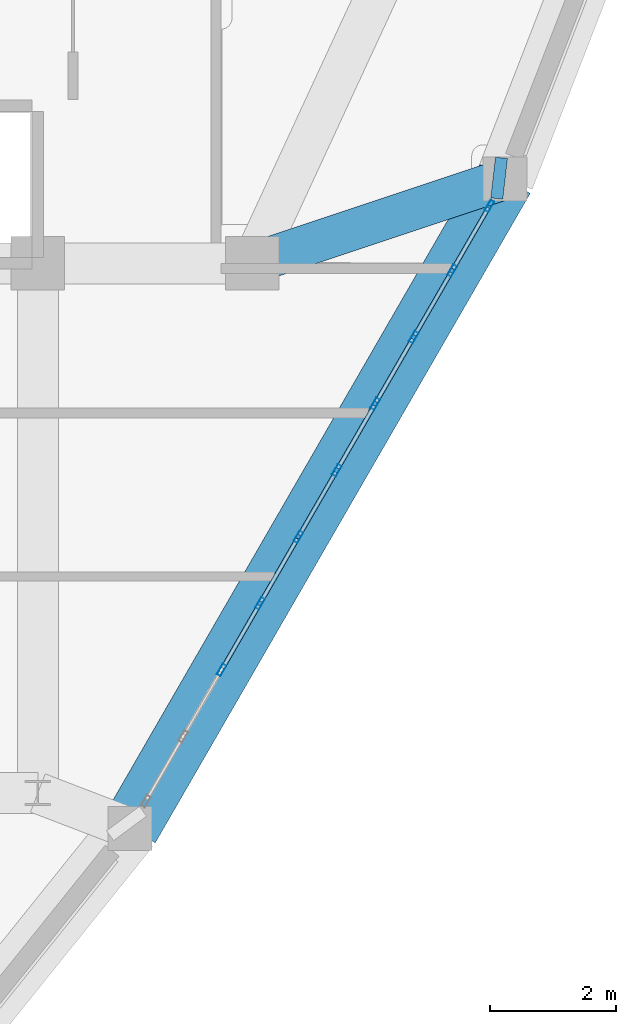
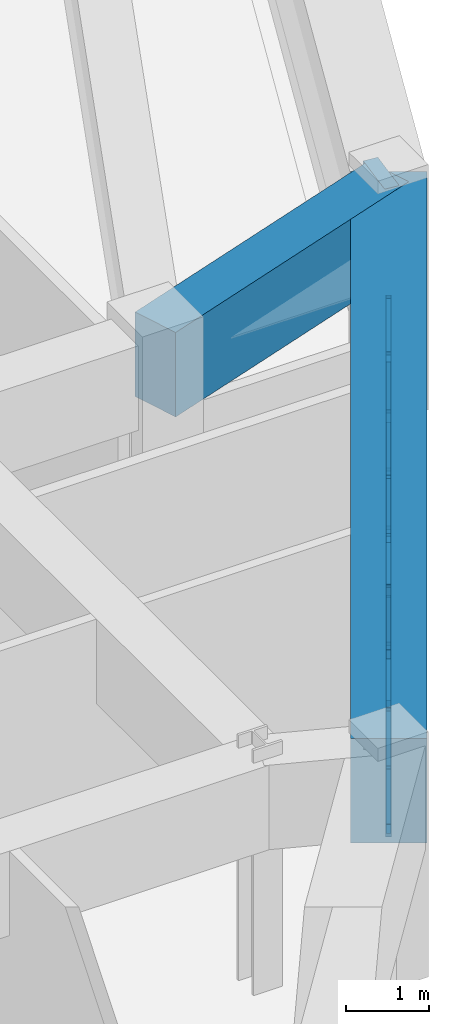
# One storey, part 7 of 16: 24 members, 3 beams, 1 element without a shape of its own.
"""IFC4 building model written with IfcOpenShell, lengths in metres."""

import ifcopenshell
import ifcopenshell.guid

model = None  # the IFC model being written
_history = None  # IfcOwnerHistory: only IFC2X3 demands one
_inside = {}  # id of a spatial element -> (the spatial element, [elements in it])
_under = {}  # id of a project, library or spatial element -> (it, [spatial elements below it])
_declared = {}  # id of a project -> (the project, [libraries it declares])
_typed = {}  # id of a type object -> (the type object, [elements of that type])
_made_of = {}  # id of a material, layer set ... -> (it, [elements and type objects made of it])


def new_model(schema):
    """Start an empty IFC model of exactly this schema.

    Asked for "IFC4X3", IfcOpenShell would pick the latest addendum, in which some entities
    have other attributes; the version numbers below select the first issue.
    IFC2X3 requires an IfcOwnerHistory on every rooted entity: one is made here for all.
    """
    global model, _history
    if schema == "IFC4X3":
        model = ifcopenshell.file(schema_version=(4, 3, 0, 0))
    else:
        model = ifcopenshell.file(schema=schema)
    _inside.clear()
    _under.clear()
    _declared.clear()
    _typed.clear()
    _made_of.clear()
    _history = None
    if model.schema == "IFC2X3":
        org = make("IfcOrganization", Name="unknown")
        user = make(
            "IfcPersonAndOrganization",
            ThePerson=make("IfcPerson", FamilyName="unknown"),
            TheOrganization=org,
        )
        app = make(
            "IfcApplication",
            ApplicationDeveloper=org,
            Version="unknown",
            ApplicationFullName="unknown",
            ApplicationIdentifier="unknown",
        )
        _history = make(
            "IfcOwnerHistory",
            OwningUser=user,
            OwningApplication=app,
            ChangeAction="ADDED",
            CreationDate=0,
        )
    return model


def make(cls, **values):
    """One entity of the class cls with the attributes given. An attribute that is None is left unset."""
    return model.create_entity(
        cls, **{name: value for name, value in values.items() if value is not None}
    )


def rooted(cls, **values):
    """An entity with a GlobalId (a new one), such as an element, a storey or a relation."""
    return make(cls, GlobalId=ifcopenshell.guid.new(), OwnerHistory=_history, **values)


def si_unit(unit_type, name, prefix=None):
    """IfcSIUnit, for example si_unit("LENGTHUNIT", "METRE", prefix="MILLI")."""
    return make("IfcSIUnit", UnitType=unit_type, Prefix=prefix, Name=name)


def derived_unit(unit_type, elements):
    """IfcDerivedUnit: a product of units, each with its exponent."""
    return make(
        "IfcDerivedUnit",
        Elements=[
            make("IfcDerivedUnitElement", Unit=unit, Exponent=power)
            for unit, power in elements
        ],
        UnitType=unit_type,
    )


def assignment(units):
    """IfcUnitAssignment: the units of a project."""
    return None if units is None else make("IfcUnitAssignment", Units=units)


def point(xyz):
    """IfcCartesianPoint."""
    return None if xyz is None else make("IfcCartesianPoint", Coordinates=xyz)


def direction(xyz):
    """IfcDirection."""
    return None if xyz is None else make("IfcDirection", DirectionRatios=xyz)


def frame(location, z_axis=None, x_axis=None):
    """IfcAxis2Placement3D, a coordinate frame: its origin and axes. An axis left out is left unset."""
    return make(
        "IfcAxis2Placement3D",
        Location=point(location),
        Axis=direction(z_axis),
        RefDirection=direction(x_axis),
    )


def frame_2d(location, x_axis=None):
    """IfcAxis2Placement2D, a coordinate frame in the plane: its origin and x axis."""
    return make(
        "IfcAxis2Placement2D", Location=point(location), RefDirection=direction(x_axis)
    )


def origin():
    """The frame at (0, 0, 0) with its axes left unset."""
    return frame((0.0, 0.0, 0.0))


def origin_2d():
    """The frame at (0, 0) in the plane with its x axis left unset."""
    return frame_2d((0.0, 0.0))


def place(relative_to, where):
    """IfcLocalPlacement: puts the frame where relative to a parent placement (None: the world)."""
    return make(
        "IfcLocalPlacement", PlacementRelTo=relative_to, RelativePlacement=where
    )


def context(
    kind, dimensions, precision=None, world=None, true_north=None, identifier=None
):
    """IfcGeometricRepresentationContext, for example the 3D "Model" context."""
    return make(
        "IfcGeometricRepresentationContext",
        ContextIdentifier=identifier,
        ContextType=kind,
        CoordinateSpaceDimension=dimensions,
        Precision=precision,
        WorldCoordinateSystem=world,
        TrueNorth=true_north,
    )


def subcontext(parent, identifier, kind, view, scale=None):
    """IfcGeometricRepresentationSubContext, for example "Body" below "Model"."""
    return make(
        "IfcGeometricRepresentationSubContext",
        ContextIdentifier=identifier,
        ContextType=kind,
        ParentContext=parent,
        TargetScale=scale,
        TargetView=view,
    )


def project(units=None, contexts=None):
    """IfcProject with its units and contexts."""
    return rooted(
        "IfcProject",
        Name="project",
        RepresentationContexts=contexts,
        UnitsInContext=assignment(units),
    )


def spatial(cls, under=None, at=None, **own):
    """A site, building, storey or space (cls), placed at a placement, below another one or the project."""
    s = rooted(cls, ObjectPlacement=at, **own)
    if under is not None:
        _under.setdefault(under.id(), (under, []))[1].append(s)
    return s


def profile(cls, at=None, kind="AREA", **sizes):
    """A parametric profile (cls). Its sizes go by their IFC names, for example OverallWidth=200.0."""
    return make(cls, ProfileType=kind, Position=at, **sizes)


def rectangle(**sizes):
    """IfcRectangleProfileDef."""
    return profile("IfcRectangleProfileDef", **sizes)


def hollow_rectangle(**sizes):
    """IfcRectangleHollowProfileDef."""
    return profile("IfcRectangleHollowProfileDef", **sizes)


def extrude(swept, where, along, depth):
    """IfcExtrudedAreaSolid: the profile swept, set in the frame where, extruded along a direction by depth."""
    return make(
        "IfcExtrudedAreaSolid",
        SweptArea=swept,
        Position=where,
        ExtrudedDirection=direction(along),
        Depth=depth,
    )


def shape(context_of_items, identifier, shape_type, items):
    """IfcShapeRepresentation: the items that make up one representation, for example the "Body"."""
    return make(
        "IfcShapeRepresentation",
        ContextOfItems=context_of_items,
        RepresentationIdentifier=identifier,
        RepresentationType=shape_type,
        Items=items,
    )


def source(mapping_origin, context_of_items, identifier, shape_type, items):
    """IfcRepresentationMap: a shape defined once, which mapped items show again and again."""
    return make(
        "IfcRepresentationMap",
        MappingOrigin=mapping_origin,
        MappedRepresentation=shape(context_of_items, identifier, shape_type, items),
    )


def transform(
    local_origin,
    x_axis=None,
    y_axis=None,
    z_axis=None,
    scale=None,
    scale2=None,
    scale3=None,
    uniform=True,
):
    """IfcCartesianTransformationOperator3D, or its non-uniform kind. x_axis, y_axis, z_axis: its Axis1, 2, 3."""
    if uniform:
        return make(
            "IfcCartesianTransformationOperator3D",
            Axis1=direction(x_axis),
            Axis2=direction(y_axis),
            LocalOrigin=point(local_origin),
            Scale=scale,
            Axis3=direction(z_axis),
        )
    return make(
        "IfcCartesianTransformationOperator3DnonUniform",
        Axis1=direction(x_axis),
        Axis2=direction(y_axis),
        LocalOrigin=point(local_origin),
        Scale=scale,
        Axis3=direction(z_axis),
        Scale2=scale2,
        Scale3=scale3,
    )


def mapped(mapping_source, mapping_target):
    """IfcMappedItem: shows the shape of a source again, moved by a transform."""
    return make(
        "IfcMappedItem", MappingSource=mapping_source, MappingTarget=mapping_target
    )


def material(Name=None, Category=None):
    """IfcMaterial."""
    return make("IfcMaterial", Name=Name, Category=Category)


def layer(
    of_material, thickness, ventilated=None, Name=None, Category=None, Priority=None
):
    """IfcMaterialLayer: one layer of a wall or slab, of a material (None: an air gap)."""
    return make(
        "IfcMaterialLayer",
        Material=of_material,
        LayerThickness=thickness,
        IsVentilated=ventilated,
        Name=Name,
        Category=Category,
        Priority=Priority,
    )


def layer_set(layers, Name=None):
    """IfcMaterialLayerSet."""
    return make("IfcMaterialLayerSet", MaterialLayers=layers, LayerSetName=Name)


def material_profile(
    of_material, cross_section, Name=None, Category=None, Priority=None
):
    """IfcMaterialProfile: a cross section and its material."""
    return make(
        "IfcMaterialProfile",
        Name=Name,
        Material=of_material,
        Profile=cross_section,
        Priority=Priority,
        Category=Category,
    )


def profile_set(profiles, Name=None, composite=None):
    """IfcMaterialProfileSet."""
    return make(
        "IfcMaterialProfileSet",
        Name=Name,
        MaterialProfiles=profiles,
        CompositeProfile=composite,
    )


def made_of(thing, what):
    """Note that an element or type object is made of a material, layer set ...; save() writes the relation."""
    if what is not None:
        _made_of.setdefault(what.id(), (what, []))[1].append(thing)
    return thing


def type_object(cls, material=None, **own):
    """A type object (cls), such as IfcWallType, which elements share."""
    return made_of(rooted(cls, **own), material)


def element(
    cls,
    number,
    at=None,
    inside=None,
    cuts=None,
    type_object=None,
    material=None,
    context=None,
    identifier="Body",
    shape_type=None,
    held_by="IfcProductDefinitionShape",
    body=None,
    shapes=None,
    **own,
):
    """One element of the class cls, such as IfcWall. Its Tag is "e" and its number.

    at: its placement. inside: the storey or other place that contains it. cuts: it is an
    opening in that element (IfcRelVoidsElement). A single representation is given by context,
    identifier, shape_type and body (its items); several are given by shapes. held_by: the class
    of the entity that holds the representations. save() writes the other relations.
    """
    e = rooted(cls, Tag="e%d" % number, ObjectPlacement=at, **own)
    if body is not None:
        shapes = [shape(context, identifier, shape_type, body)]
    if shapes is not None:
        e.Representation = make(held_by, Representations=shapes)
    if inside is not None:
        _inside.setdefault(inside.id(), (inside, []))[1].append(e)
    if cuts is not None:
        rooted(
            "IfcRelVoidsElement", RelatingBuildingElement=cuts, RelatedOpeningElement=e
        )
    if type_object is not None:
        _typed.setdefault(type_object.id(), (type_object, []))[1].append(e)
    return made_of(e, material)


def aggregate(whole, parts):
    """IfcRelAggregates: a whole, such as a stair, and the parts it consists of."""
    return rooted("IfcRelAggregates", RelatingObject=whole, RelatedObjects=parts)


def save(model, path):
    """Write the relations noted so far, then the file.

    IfcRelAggregates (storeys below a building ...), IfcRelContainedInSpatialStructure (elements
    in a storey), IfcRelDefinesByType, IfcRelAssociatesMaterial and IfcRelDeclares: one each for
    every whole, place, type object, material and project.
    """
    for whole, parts in _under.values():
        aggregate(whole, parts)
    for where, things in _inside.values():
        rooted(
            "IfcRelContainedInSpatialStructure",
            RelatedElements=things,
            RelatingStructure=where,
        )
    for kind, things in _typed.values():
        rooted("IfcRelDefinesByType", RelatedObjects=things, RelatingType=kind)
    for what, things in _made_of.values():
        rooted("IfcRelAssociatesMaterial", RelatedObjects=things, RelatingMaterial=what)
    for by, libraries in _declared.values():
        rooted("IfcRelDeclares", RelatingContext=by, RelatedDefinitions=libraries)
    model.write(path)


model = new_model("IFC4")

# Units and contexts
model_context = context("Model", 3, precision=1e-05, world=origin(), true_north=direction((0.0, 1.0)))
body_context = subcontext(model_context, "Body", "Model", "MODEL_VIEW")
ifc_project = project(units=[si_unit("LENGTHUNIT", "METRE"), si_unit("AREAUNIT", "SQUARE_METRE"), si_unit("VOLUMEUNIT", "CUBIC_METRE"), si_unit("PLANEANGLEUNIT", "RADIAN"), si_unit("MASSUNIT", "GRAM", prefix="KILO"), derived_unit("THERMALTRANSMITTANCEUNIT", [(si_unit("POWERUNIT", "WATT"), 1), (si_unit("LENGTHUNIT", "METRE"), -2), (si_unit("THERMODYNAMICTEMPERATUREUNIT", "KELVIN"), -1)])], contexts=[model_context])

# Site, building, storey
site_placement = place(None, origin())
site = spatial("IfcSite", under=ifc_project, at=site_placement, CompositionType="ELEMENT")
building_placement = place(site_placement, origin())
building = spatial("IfcBuilding", under=site, at=building_placement, Name="Korsvarv Bourse and Concert Hall", CompositionType="ELEMENT")
storey_placement = place(building_placement, frame((0.0, 0.0, 261.0)))
storey = spatial("IfcBuildingStorey", under=building, at=storey_placement, Name="L68", CompositionType="ELEMENT", Elevation=261.0)

# Beams
ifc_material_1 = material(Name="Concrete C50/60", Category="concrete")
ifc_material_profile_1 = material_profile(ifc_material_1, rectangle(XDim=0.919921875, YDim=1.530029296875, at=origin_2d()), Name="RC-BM 920x1530")
ifc_profile_set_1 = profile_set([ifc_material_profile_1], Name="Concrete C50/60")
beam_type_1 = type_object("IfcBeamType", Name="BM-TR-154", PredefinedType="BEAM", material=ifc_profile_set_1)
shared_shape_1 = source(origin(), body_context, "Body", "SweptSolid", [
    extrude(rectangle(XDim=0.919921875, YDim=1.530029296875, at=origin_2d()), origin(), (0.0, 0.0, 1.0), 11.8916015625),
])
beam_1_placement = place(storey_placement, frame((45.864013671875, 23.439453125, 2.64501953125), z_axis=(0.500003248124, 0.866023528471, 0.0), x_axis=(-0.866023528471, 0.500003248124, 0.0)))
element("IfcBeam", 1, at=beam_1_placement, inside=storey, type_object=beam_type_1, Name="L68 beam B-TR6", PredefinedType="BEAM", context=body_context, shape_type="MappedRepresentation", body=[
    mapped(shared_shape_1, transform((0.0, 0.0, 0.0), scale=1.0)),
])
ifc_material_profile_2 = material_profile(ifc_material_1, rectangle(XDim=0.64990234375, YDim=1.239990234375, at=origin_2d()), Name="RC-BM 650x1240")
ifc_profile_set_2 = profile_set([ifc_material_profile_2], Name="Concrete C50/60")
beam_type_2 = type_object("IfcBeamType", Name="BM-TR-SPN", PredefinedType="BEAM", material=ifc_profile_set_2)
shared_shape_2 = source(origin(), body_context, "Body", "SweptSolid", [
    extrude(rectangle(XDim=0.64990234375, YDim=1.239990234375, at=origin_2d()), origin(), (0.0, 0.0, 1.0), 4.22705078125),
])
beam_2_placement = place(storey_placement, frame((51.809814453125, 33.73779296875, 2.7900390625), z_axis=(-0.948590847329, -0.316504983157, 0.0), x_axis=(0.316504983157, -0.948590847329, 0.0)))
element("IfcBeam", 2, at=beam_2_placement, inside=storey, type_object=beam_type_2, Name="L68 beam B-TRS", PredefinedType="BEAM", context=body_context, shape_type="MappedRepresentation", body=[
    mapped(shared_shape_2, transform((0.0, 0.0, 0.0), scale=1.0)),
])
shared_shape_3 = source(origin(), body_context, "Body", "SweptSolid", [
    extrude(rectangle(XDim=0.64990234375, YDim=1.239990234375, at=origin_2d()), origin(), (0.0, 0.0, 1.0), 0.19189453125),
])
beam_3_placement = place(storey_placement, frame((51.809814453125, 33.73779296875, 2.7900390625), z_axis=(-0.993425637614, 0.114479266819, 0.0), x_axis=(-0.114479266819, -0.993425637614, 0.0)))
element("IfcBeam", 3, at=beam_3_placement, inside=storey, type_object=beam_type_2, Name="L68 beam B-TRS", PredefinedType="BEAM", context=body_context, shape_type="MappedRepresentation", body=[
    mapped(shared_shape_3, transform((0.0, 0.0, 0.0), scale=1.0)),
])

# Curtain wall, members
ifc_material_2 = material(Name="Anodised aluminium and triple low-E glazing", Category="glass")
ifc_layer = layer(ifc_material_2, 0.199951171875)
ifc_layer_set = layer_set([ifc_layer], Name="Anodised aluminium and triple low-E glazing")
curtain_wall_type = type_object("IfcCurtainWallType", Name="CW-SYS-3", PredefinedType="NOTDEFINED", material=ifc_layer_set)
curtain_wall_placement = place(storey_placement, origin())
curtain_wall = element("IfcCurtainWall", 4, at=curtain_wall_placement, inside=storey, type_object=curtain_wall_type, Name="L68 CW3 curtain wall CW-L68-F11", PredefinedType="NOTDEFINED")
ifc_material_3 = material(Name="Extruded aluminium EN AW-6063 T66", Category="aluminium")
ifc_material_profile_3 = material_profile(ifc_material_3, hollow_rectangle(XDim=0.06494140625, YDim=0.139892578125, WallThickness=0.00390625, at=origin_2d()), Name="ALU-T 65x140")
ifc_profile_set_3 = profile_set([ifc_material_profile_3], Name="Extruded aluminium EN AW-6063 T66")
member_type_1 = type_object("IfcMemberType", Name="CWT-140", PredefinedType="USERDEFINED", material=ifc_profile_set_3)
shared_shape_4 = source(origin(), body_context, "Body", "SweptSolid", [
    extrude(hollow_rectangle(XDim=0.06494140625, YDim=0.139892578125, WallThickness=0.00390625, at=origin_2d()), origin(), (0.0, 0.0, 1.0), 1.113525390625),
])
member_1_placement = place(storey_placement, frame((50.987060546875, 32.312744140625, 0.032470703125), z_axis=(0.499912255713, 0.866076057046, 0.0), x_axis=(-0.866076057046, 0.499912255713, 0.0)))
member_1 = element("IfcMember", 5, at=member_1_placement, type_object=member_type_1, Name="CW3 transom 9.1", ObjectType="TRANSOM", PredefinedType="USERDEFINED", context=body_context, shape_type="MappedRepresentation", body=[
    mapped(shared_shape_4, transform((0.0, 0.0, 0.0), scale=1.0)),
])
member_2_placement = place(storey_placement, frame((50.987060546875, 32.312744140625, 1.847412109375), z_axis=(0.499912255713, 0.866076057046, 0.0), x_axis=(-0.866076057046, 0.499912255713, 0.0)))
member_2 = element("IfcMember", 6, at=member_2_placement, type_object=member_type_1, Name="CW3 transom 9.2", ObjectType="TRANSOM", PredefinedType="USERDEFINED", context=body_context, shape_type="MappedRepresentation", body=[
    mapped(shared_shape_4, transform((0.0, 0.0, 0.0), scale=1.0)),
])
shared_shape_5 = source(origin(), body_context, "Body", "SweptSolid", [
    extrude(hollow_rectangle(XDim=0.06494140625, YDim=0.139892578125, WallThickness=0.00390625, at=origin_2d()), origin(), (0.0, 0.0, 1.0), 1.1484375),
])
member_3_placement = place(storey_placement, frame((48.5498046875, 28.09130859375, 0.032470703125), z_axis=(0.499980071345, 0.866036909293, 0.0), x_axis=(-0.866036909293, 0.499980071345, 0.0)))
member_3 = element("IfcMember", 7, at=member_3_placement, type_object=member_type_1, Name="CW3 transom 5.1", ObjectType="TRANSOM", PredefinedType="USERDEFINED", context=body_context, shape_type="MappedRepresentation", body=[
    mapped(shared_shape_5, transform((0.0, 0.0, 0.0), scale=1.0)),
])
member_4_placement = place(storey_placement, frame((48.5498046875, 28.09130859375, 1.847412109375), z_axis=(0.499980071345, 0.866036909293, 0.0), x_axis=(-0.866036909293, 0.499980071345, 0.0)))
member_4 = element("IfcMember", 8, at=member_4_placement, type_object=member_type_1, Name="CW3 transom 5.2", ObjectType="TRANSOM", PredefinedType="USERDEFINED", context=body_context, shape_type="MappedRepresentation", body=[
    mapped(shared_shape_5, transform((0.0, 0.0, 0.0), scale=1.0)),
])
shared_shape_6 = source(origin(), body_context, "Body", "SweptSolid", [
    extrude(hollow_rectangle(XDim=0.06494140625, YDim=0.139892578125, WallThickness=0.00390625, at=origin_2d()), origin(), (0.0, 0.0, 1.0), 1.148681640625),
])
member_5_placement = place(storey_placement, frame((47.3310546875, 25.98046875, 0.032470703125), z_axis=(0.49988803956, 0.866090034526, 0.0), x_axis=(-0.866090034526, 0.49988803956, 0.0)))
member_5 = element("IfcMember", 9, at=member_5_placement, type_object=member_type_1, Name="CW3 transom 3.1", ObjectType="TRANSOM", PredefinedType="USERDEFINED", context=body_context, shape_type="MappedRepresentation", body=[
    mapped(shared_shape_6, transform((0.0, 0.0, 0.0), scale=1.0)),
])
member_6_placement = place(storey_placement, frame((47.3310546875, 25.98046875, 1.847412109375), z_axis=(0.49988803956, 0.866090034526, 0.0), x_axis=(-0.866090034526, 0.49988803956, 0.0)))
member_6 = element("IfcMember", 10, at=member_6_placement, type_object=member_type_1, Name="CW3 transom 3.2", ObjectType="TRANSOM", PredefinedType="USERDEFINED", context=body_context, shape_type="MappedRepresentation", body=[
    mapped(shared_shape_6, transform((0.0, 0.0, 0.0), scale=1.0)),
])
member_7_placement = place(storey_placement, frame((47.9404296875, 27.035888671875, 0.032470703125), z_axis=(0.49988803956, 0.866090034526, 0.0), x_axis=(-0.866090034526, 0.49988803956, 0.0)))
member_7 = element("IfcMember", 11, at=member_7_placement, type_object=member_type_1, Name="CW3 transom 4.1", ObjectType="TRANSOM", PredefinedType="USERDEFINED", context=body_context, shape_type="MappedRepresentation", body=[
    mapped(shared_shape_6, transform((0.0, 0.0, 0.0), scale=1.0)),
])
member_8_placement = place(storey_placement, frame((47.9404296875, 27.035888671875, 1.847412109375), z_axis=(0.49988803956, 0.866090034526, 0.0), x_axis=(-0.866090034526, 0.49988803956, 0.0)))
member_8 = element("IfcMember", 12, at=member_8_placement, type_object=member_type_1, Name="CW3 transom 4.2", ObjectType="TRANSOM", PredefinedType="USERDEFINED", context=body_context, shape_type="MappedRepresentation", body=[
    mapped(shared_shape_6, transform((0.0, 0.0, 0.0), scale=1.0)),
])
member_9_placement = place(storey_placement, frame((49.158935546875, 29.146728515625, 0.032470703125), z_axis=(0.500139482584, 0.865944858499, 0.0), x_axis=(-0.865944858499, 0.500139482584, 0.0)))
member_9 = element("IfcMember", 13, at=member_9_placement, type_object=member_type_1, Name="CW3 transom 6.1", ObjectType="TRANSOM", PredefinedType="USERDEFINED", context=body_context, shape_type="MappedRepresentation", body=[
    mapped(shared_shape_6, transform((0.0, 0.0, 0.0), scale=1.0)),
])
member_10_placement = place(storey_placement, frame((49.158935546875, 29.146728515625, 1.847412109375), z_axis=(0.500139482584, 0.865944858499, 0.0), x_axis=(-0.865944858499, 0.500139482584, 0.0)))
member_10 = element("IfcMember", 14, at=member_10_placement, type_object=member_type_1, Name="CW3 transom 6.2", ObjectType="TRANSOM", PredefinedType="USERDEFINED", context=body_context, shape_type="MappedRepresentation", body=[
    mapped(shared_shape_6, transform((0.0, 0.0, 0.0), scale=1.0)),
])
member_11_placement = place(storey_placement, frame((50.377685546875, 31.25732421875, 0.032470703125), z_axis=(0.49988803956, 0.866090034526, 0.0), x_axis=(-0.866090034526, 0.49988803956, 0.0)))
member_11 = element("IfcMember", 15, at=member_11_placement, type_object=member_type_1, Name="CW3 transom 8.1", ObjectType="TRANSOM", PredefinedType="USERDEFINED", context=body_context, shape_type="MappedRepresentation", body=[
    mapped(shared_shape_6, transform((0.0, 0.0, 0.0), scale=1.0)),
])
member_12_placement = place(storey_placement, frame((50.377685546875, 31.25732421875, 1.847412109375), z_axis=(0.49988803956, 0.866090034526, 0.0), x_axis=(-0.866090034526, 0.49988803956, 0.0)))
member_12 = element("IfcMember", 16, at=member_12_placement, type_object=member_type_1, Name="CW3 transom 8.2", ObjectType="TRANSOM", PredefinedType="USERDEFINED", context=body_context, shape_type="MappedRepresentation", body=[
    mapped(shared_shape_6, transform((0.0, 0.0, 0.0), scale=1.0)),
])
ifc_material_profile_4 = material_profile(ifc_material_3, hollow_rectangle(XDim=0.070068359375, YDim=0.18994140625, WallThickness=0.0048828125, at=origin_2d()), Name="ALU-M 70x190")
ifc_profile_set_4 = profile_set([ifc_material_profile_4], Name="Extruded aluminium EN AW-6063 T66")
member_type_2 = type_object("IfcMemberType", Name="CWM-190", PredefinedType="MULLION", material=ifc_profile_set_4)
shared_shape_7 = source(origin(), body_context, "Body", "SweptSolid", [
    extrude(hollow_rectangle(XDim=0.070068359375, YDim=0.18994140625, WallThickness=0.0048828125, at=origin_2d()), origin(), (0.0, 0.0, 1.0), 1.8798828125),
])
member_13_placement = place(storey_placement, frame((47.3134765625, 25.9501953125, 0.0), z_axis=(0.0, 0.0, 1.0), x_axis=(-0.866023274265, 0.500003688417, 0.0)))
member_13 = element("IfcMember", 17, at=member_13_placement, type_object=member_type_2, Name="CW3 mullion 3", PredefinedType="MULLION", context=body_context, shape_type="MappedRepresentation", body=[
    mapped(shared_shape_7, transform((0.0, 0.0, 0.0), scale=1.0)),
])
member_14_placement = place(storey_placement, frame((47.9228515625, 27.005615234375, 0.0), z_axis=(0.0, 0.0, 1.0), x_axis=(-0.866023274265, 0.500003688417, 0.0)))
member_14 = element("IfcMember", 18, at=member_14_placement, type_object=member_type_2, Name="CW3 mullion 4", PredefinedType="MULLION", context=body_context, shape_type="MappedRepresentation", body=[
    mapped(shared_shape_7, transform((0.0, 0.0, 0.0), scale=1.0)),
])
member_15_placement = place(storey_placement, frame((48.5322265625, 28.06103515625, 0.0), z_axis=(0.0, 0.0, 1.0), x_axis=(-0.866023274265, 0.500003688417, 0.0)))
member_15 = element("IfcMember", 19, at=member_15_placement, type_object=member_type_2, Name="CW3 mullion 5", PredefinedType="MULLION", context=body_context, shape_type="MappedRepresentation", body=[
    mapped(shared_shape_7, transform((0.0, 0.0, 0.0), scale=1.0)),
])
member_16_placement = place(storey_placement, frame((49.1416015625, 29.116455078125, 0.0), z_axis=(0.0, 0.0, 1.0), x_axis=(-0.866023274265, 0.500003688417, 0.0)))
member_16 = element("IfcMember", 20, at=member_16_placement, type_object=member_type_2, Name="CW3 mullion 6", PredefinedType="MULLION", context=body_context, shape_type="MappedRepresentation", body=[
    mapped(shared_shape_7, transform((0.0, 0.0, 0.0), scale=1.0)),
])
member_17_placement = place(storey_placement, frame((49.750732421875, 30.171630859375, 0.0), z_axis=(0.0, 0.0, 1.0), x_axis=(-0.866023274265, 0.500003688417, 0.0)))
member_17 = element("IfcMember", 21, at=member_17_placement, type_object=member_type_2, Name="CW3 mullion 7", PredefinedType="MULLION", context=body_context, shape_type="MappedRepresentation", body=[
    mapped(shared_shape_7, transform((0.0, 0.0, 0.0), scale=1.0)),
])
member_18_placement = place(storey_placement, frame((50.360107421875, 31.22705078125, 0.0), z_axis=(0.0, 0.0, 1.0), x_axis=(-0.866023274265, 0.500003688417, 0.0)))
member_18 = element("IfcMember", 22, at=member_18_placement, type_object=member_type_2, Name="CW3 mullion 8", PredefinedType="MULLION", context=body_context, shape_type="MappedRepresentation", body=[
    mapped(shared_shape_7, transform((0.0, 0.0, 0.0), scale=1.0)),
])
member_19_placement = place(storey_placement, frame((50.969482421875, 32.282470703125, 0.0), z_axis=(0.0, 0.0, 1.0), x_axis=(-0.866023274265, 0.500003688417, 0.0)))
member_19 = element("IfcMember", 23, at=member_19_placement, type_object=member_type_2, Name="CW3 mullion 9", PredefinedType="MULLION", context=body_context, shape_type="MappedRepresentation", body=[
    mapped(shared_shape_7, transform((0.0, 0.0, 0.0), scale=1.0)),
])
member_20_placement = place(storey_placement, frame((51.561279296875, 33.307373046875, 0.0), z_axis=(0.0, 0.0, 1.0), x_axis=(-0.866023274265, 0.500003688417, 0.0)))
member_20 = element("IfcMember", 24, at=member_20_placement, type_object=member_type_2, Name="CW3 mullion 10", PredefinedType="MULLION", context=body_context, shape_type="MappedRepresentation", body=[
    mapped(shared_shape_7, transform((0.0, 0.0, 0.0), scale=1.0)),
])
ifc_material_profile_5 = material_profile(ifc_material_3, hollow_rectangle(XDim=0.06494140625, YDim=0.1650390625, WallThickness=0.0048828125, at=origin_2d()), Name="ALU-M 65x165")
ifc_profile_set_5 = profile_set([ifc_material_profile_5], Name="Extruded aluminium EN AW-6063 T66")
member_type_3 = type_object("IfcMemberType", Name="CWM-165", PredefinedType="MULLION", material=ifc_profile_set_5)
shared_shape_8 = source(origin(), body_context, "Body", "SweptSolid", [
    extrude(hollow_rectangle(XDim=0.06494140625, YDim=0.1650390625, WallThickness=0.0048828125, at=origin_2d()), origin(), (0.0, 0.0, 1.0), 2.09326171875),
])
member_21_placement = place(storey_placement, frame((49.1240234375, 29.0859375, 0.06494140625), z_axis=(-0.274324929215, -0.475169966676, 0.836037879513), x_axis=(0.866036909293, -0.499980071345, 0.0)))
member_21 = element("IfcMember", 25, at=member_21_placement, type_object=member_type_3, Name="CW3 diagonal mullion 5", PredefinedType="MULLION", context=body_context, shape_type="MappedRepresentation", body=[
    mapped(shared_shape_8, transform((0.0, 0.0, 0.0), scale=1.0)),
])
member_22_placement = place(storey_placement, frame((50.377685546875, 31.25732421875, 0.06494140625), z_axis=(0.274309725161, 0.475260259367, 0.835991543348), x_axis=(-0.866090034526, 0.49988803956, 0.0)))
member_22 = element("IfcMember", 26, at=member_22_placement, type_object=member_type_3, Name="CW3 diagonal mullion 8", PredefinedType="MULLION", context=body_context, shape_type="MappedRepresentation", body=[
    mapped(shared_shape_8, transform((0.0, 0.0, 0.0), scale=1.0)),
])
shared_shape_9 = source(origin(), body_context, "Body", "SweptSolid", [
    extrude(hollow_rectangle(XDim=0.06494140625, YDim=0.139892578125, WallThickness=0.00390625, at=origin_2d()), origin(), (0.0, 0.0, 1.0), 1.14892578125),
])
member_23_placement = place(storey_placement, frame((49.768310546875, 30.201904296875, 0.032470703125), z_axis=(0.50004744102, 0.865998011966, 0.0), x_axis=(-0.865998011966, 0.50004744102, 0.0)))
member_23 = element("IfcMember", 27, at=member_23_placement, type_object=member_type_1, Name="CW3 transom 7.1", ObjectType="TRANSOM", PredefinedType="USERDEFINED", context=body_context, shape_type="MappedRepresentation", body=[
    mapped(shared_shape_9, transform((0.0, 0.0, 0.0), scale=1.0)),
])
member_24_placement = place(storey_placement, frame((49.768310546875, 30.201904296875, 1.847412109375), z_axis=(0.50004744102, 0.865998011966, 0.0), x_axis=(-0.865998011966, 0.50004744102, 0.0)))
member_24 = element("IfcMember", 28, at=member_24_placement, type_object=member_type_1, Name="CW3 transom 7.2", ObjectType="TRANSOM", PredefinedType="USERDEFINED", context=body_context, shape_type="MappedRepresentation", body=[
    mapped(shared_shape_9, transform((0.0, 0.0, 0.0), scale=1.0)),
])
aggregate(curtain_wall, [member_13, member_14, member_15, member_16, member_17, member_18, member_19, member_20, member_5, member_6, member_7, member_8, member_3, member_4, member_21, member_9, member_10, member_23, member_24, member_11, member_12, member_22, member_1, member_2])

save(model, "model.ifc")
